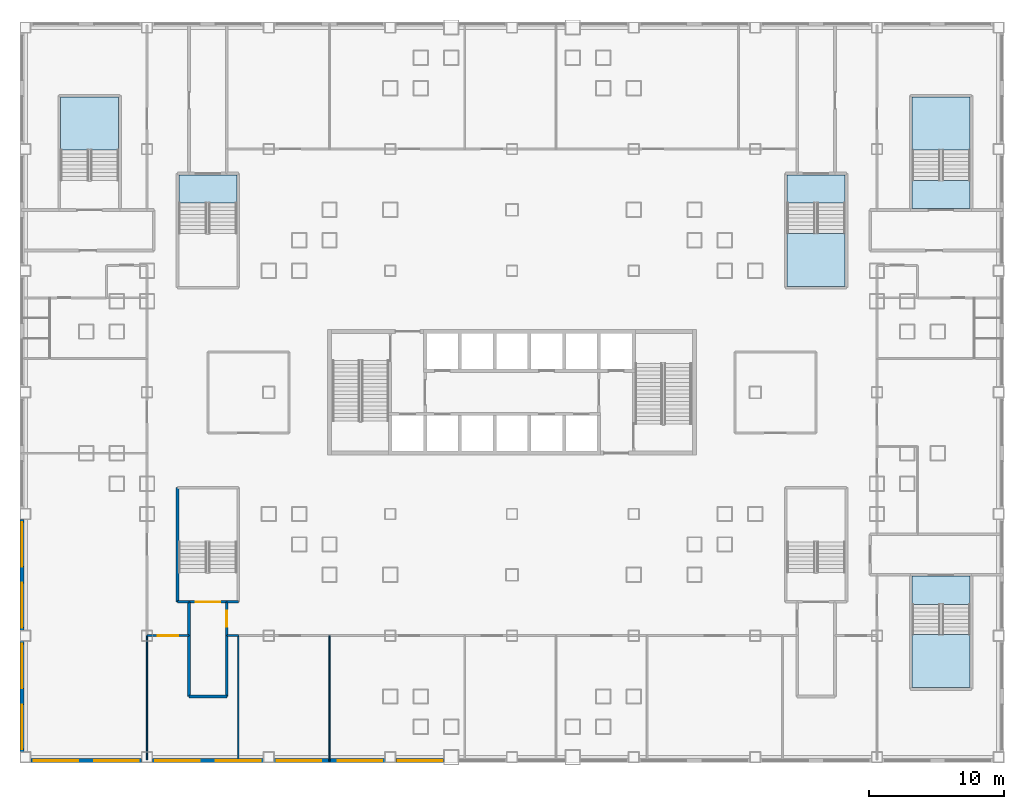
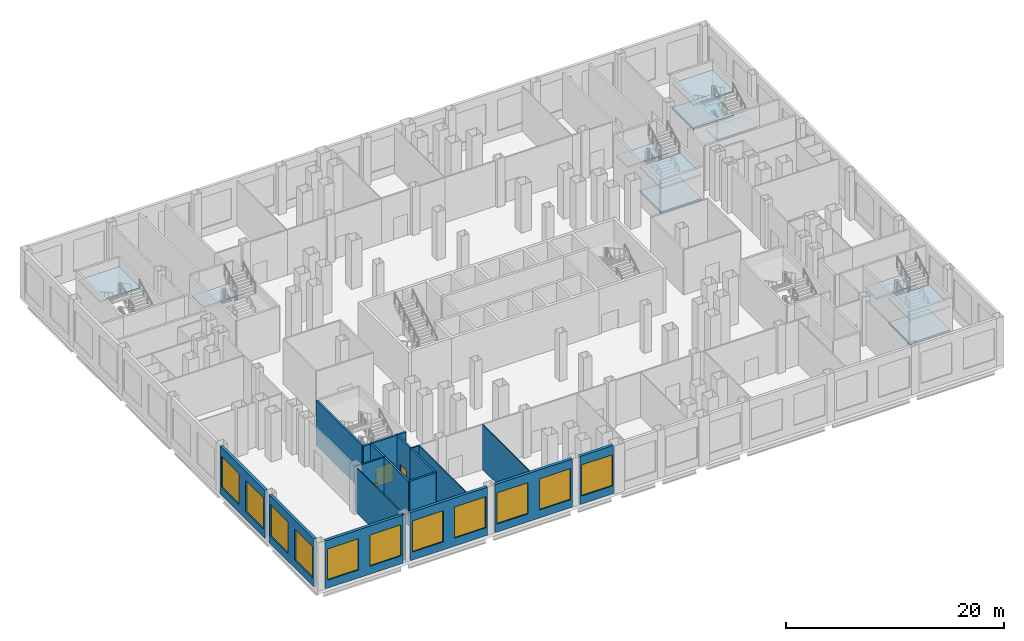
# One storey, part 2 of 27: 20 walls, 11 slabs, 11 windows, 3 doors, 14 openings, 5 elements without a shape of their own.
"""IFC4 building model written with IfcOpenShell, lengths in metres."""

from ifc_helpers import new_model, si_unit, direction, frame, frame_2d, origin, place, context, subcontext, project, spatial, polyline, rectangle, outline, extrude, material, layer, layer_set, type_object, element, fill, aggregate, save


model = new_model("IFC4")

# Units and contexts
model_context = context("Model", 3, precision=1e-05, world=origin(), true_north=direction((0.0, 1.0)))
body_context = subcontext(model_context, "Body", "Model", "MODEL_VIEW")
ifc_project = project(units=[si_unit("LENGTHUNIT", "METRE"), si_unit("AREAUNIT", "SQUARE_METRE"), si_unit("VOLUMEUNIT", "CUBIC_METRE"), si_unit("PLANEANGLEUNIT", "RADIAN"), si_unit("MASSUNIT", "GRAM", prefix="KILO")], contexts=[model_context])

# Site, building, storey
site_placement = place(None, origin())
site = spatial("IfcSite", under=ifc_project, at=site_placement, CompositionType="ELEMENT")
building_placement = place(site_placement, origin())
building = spatial("IfcBuilding", under=site, at=building_placement, Name="Caravel Reach Hotel and Residences", CompositionType="ELEMENT")
storey_placement = place(building_placement, frame((0.0, 0.0, 6.60009765625)))
storey = spatial("IfcBuildingStorey", under=building, at=storey_placement, Name="L01", CompositionType="ELEMENT", Elevation=6.60009765625)

# Stair, slab
ifc_material_1 = material(Name="Concrete C40", Category="concrete")
stair_type = type_object("IfcStairType", Name="Core stair", PredefinedType="HALF_TURN_STAIR", material=ifc_material_1)
stair_1_placement = place(storey_placement, origin())
stair_1 = element("IfcStair", 1, at=stair_1_placement, inside=storey, type_object=stair_type, Name="L01 Exit stair P1", PredefinedType="HALF_TURN_STAIR")
ifc_material_2 = material(Name="Concrete C40", Category="concrete")
ifc_layer_1 = layer(ifc_material_2, 0.199951171875)
ifc_layer_set_1 = layer_set([ifc_layer_1], Name="Core stair landing")
slab_type = type_object("IfcSlabType", Name="Core stair landing", PredefinedType="LANDING", material=ifc_layer_set_1)
slab_1_placement = place(storey_placement, frame((0.0, 0.0, 2.5)))
slab_1 = element("IfcSlab", 2, at=slab_1_placement, type_object=slab_type, Name="ST-P1 landing 2", PredefinedType="LANDING", context=body_context, shape_type="SweptSolid", body=[
    extrude(outline(polyline([(6.85009765625, 43.10009765625), (6.85009765625, 41.010009765625), (11.14990234375, 41.010009765625), (11.14990234375, 43.10009765625), (6.85009765625, 43.10009765625)])), origin(), (0.0, 0.0, 1.0), 0.199951171875),
])
aggregate(stair_1, [slab_1])

# Stair, slabs
stair_2_placement = place(storey_placement, origin())
stair_2 = element("IfcStair", 3, at=stair_2_placement, inside=storey, type_object=stair_type, Name="L01 Exit stair P2", PredefinedType="HALF_TURN_STAIR")
slab_2_placement = place(storey_placement, frame((0.0, 0.0, 1.14990234375)))
slab_2 = element("IfcSlab", 4, at=slab_2_placement, type_object=slab_type, Name="ST-P2 landing 1", PredefinedType="LANDING", context=body_context, shape_type="SweptSolid", body=[
    extrude(outline(polyline([(51.85009765625, 38.77001953125), (51.85009765625, 34.85009765625), (56.14990234375, 34.85009765625), (56.14990234375, 38.77001953125), (51.85009765625, 38.77001953125)])), origin(), (0.0, 0.0, 1.0), 0.199951171875),
])
slab_3_placement = place(storey_placement, frame((0.0, 0.0, 2.5)))
slab_3 = element("IfcSlab", 5, at=slab_3_placement, type_object=slab_type, Name="ST-P2 landing 2", PredefinedType="LANDING", context=body_context, shape_type="SweptSolid", body=[
    extrude(outline(polyline([(51.85009765625, 43.10009765625), (51.85009765625, 41.010009765625), (56.14990234375, 41.010009765625), (56.14990234375, 43.10009765625), (51.85009765625, 43.10009765625)])), origin(), (0.0, 0.0, 1.0), 0.199951171875),
])
slab_4_placement = place(storey_placement, frame((0.0, 0.0, 3.849853515625)))
slab_4 = element("IfcSlab", 6, at=slab_4_placement, type_object=slab_type, Name="ST-P2 landing 3", PredefinedType="LANDING", context=body_context, shape_type="SweptSolid", body=[
    extrude(outline(polyline([(51.85009765625, 38.77001953125), (51.85009765625, 34.85009765625), (56.14990234375, 34.85009765625), (56.14990234375, 38.77001953125), (51.85009765625, 38.77001953125)])), origin(), (0.0, 0.0, 1.0), 0.199951171875),
])
aggregate(stair_2, [slab_2, slab_3, slab_4])

# Stair, slab
stair_3_placement = place(storey_placement, origin())
stair_3 = element("IfcStair", 7, at=stair_3_placement, inside=storey, type_object=stair_type, Name="L01 Exit stair P5", PredefinedType="HALF_TURN_STAIR")
slab_5_placement = place(storey_placement, frame((0.0, 0.0, 3.849853515625)))
slab_5 = element("IfcSlab", 8, at=slab_5_placement, type_object=slab_type, Name="ST-P5 landing 3", PredefinedType="LANDING", context=body_context, shape_type="SweptSolid", body=[
    extrude(outline(polyline([(2.39990234375, 44.929931640625), (2.39990234375, 48.85009765625), (-1.89990234375, 48.85009765625), (-1.89990234375, 44.929931640625), (2.39990234375, 44.929931640625)])), origin(), (0.0, 0.0, 1.0), 0.199951171875),
])
aggregate(stair_3, [slab_5])

# Stair, slabs
stair_4_placement = place(storey_placement, origin())
stair_4 = element("IfcStair", 9, at=stair_4_placement, inside=storey, type_object=stair_type, Name="L01 Exit stair P6", PredefinedType="HALF_TURN_STAIR")
slab_6_placement = place(storey_placement, frame((0.0, 0.0, 1.14990234375)))
slab_6 = element("IfcSlab", 10, at=slab_6_placement, type_object=slab_type, Name="ST-P6 landing 1", PredefinedType="LANDING", context=body_context, shape_type="SweptSolid", body=[
    extrude(outline(polyline([(65.39990234375, 44.929931640625), (65.39990234375, 48.85009765625), (61.10009765625, 48.85009765625), (61.10009765625, 44.929931640625), (65.39990234375, 44.929931640625)])), origin(), (0.0, 0.0, 1.0), 0.199951171875),
])
slab_7_placement = place(storey_placement, frame((0.0, 0.0, 2.5)))
slab_7 = element("IfcSlab", 11, at=slab_7_placement, type_object=slab_type, Name="ST-P6 landing 2", PredefinedType="LANDING", context=body_context, shape_type="SweptSolid", body=[
    extrude(outline(polyline([(65.39990234375, 40.60009765625), (65.39990234375, 42.68994140625), (61.10009765625, 42.68994140625), (61.10009765625, 40.60009765625), (65.39990234375, 40.60009765625)])), origin(), (0.0, 0.0, 1.0), 0.199951171875),
])
slab_8_placement = place(storey_placement, frame((0.0, 0.0, 3.849853515625)))
slab_8 = element("IfcSlab", 12, at=slab_8_placement, type_object=slab_type, Name="ST-P6 landing 3", PredefinedType="LANDING", context=body_context, shape_type="SweptSolid", body=[
    extrude(outline(polyline([(65.39990234375, 44.929931640625), (65.39990234375, 48.85009765625), (61.10009765625, 48.85009765625), (61.10009765625, 44.929931640625), (65.39990234375, 44.929931640625)])), origin(), (0.0, 0.0, 1.0), 0.199951171875),
])
aggregate(stair_4, [slab_6, slab_7, slab_8])

stair_5_placement = place(storey_placement, origin())
stair_5 = element("IfcStair", 13, at=stair_5_placement, inside=storey, type_object=stair_type, Name="L01 Exit stair P7", PredefinedType="HALF_TURN_STAIR")
slab_9_placement = place(storey_placement, frame((0.0, 0.0, 1.14990234375)))
slab_9 = element("IfcSlab", 14, at=slab_9_placement, type_object=slab_type, Name="ST-P7 landing 1", PredefinedType="LANDING", context=body_context, shape_type="SweptSolid", body=[
    extrude(outline(polyline([(61.10009765625, 9.070068359375), (61.10009765625, 5.14990234375), (65.39990234375, 5.14990234375), (65.39990234375, 9.070068359375), (61.10009765625, 9.070068359375)])), origin(), (0.0, 0.0, 1.0), 0.199951171875),
])
slab_10_placement = place(storey_placement, frame((0.0, 0.0, 2.5)))
slab_10 = element("IfcSlab", 15, at=slab_10_placement, type_object=slab_type, Name="ST-P7 landing 2", PredefinedType="LANDING", context=body_context, shape_type="SweptSolid", body=[
    extrude(outline(polyline([(61.10009765625, 13.39990234375), (61.10009765625, 11.31005859375), (65.39990234375, 11.31005859375), (65.39990234375, 13.39990234375), (61.10009765625, 13.39990234375)])), origin(), (0.0, 0.0, 1.0), 0.199951171875),
])
slab_11_placement = place(storey_placement, frame((0.0, 0.0, 3.849853515625)))
slab_11 = element("IfcSlab", 16, at=slab_11_placement, type_object=slab_type, Name="ST-P7 landing 3", PredefinedType="LANDING", context=body_context, shape_type="SweptSolid", body=[
    extrude(outline(polyline([(61.10009765625, 9.070068359375), (61.10009765625, 5.14990234375), (65.39990234375, 5.14990234375), (65.39990234375, 9.070068359375), (61.10009765625, 9.070068359375)])), origin(), (0.0, 0.0, 1.0), 0.199951171875),
])
aggregate(stair_5, [slab_9, slab_10, slab_11])

# Wall
ifc_material_3 = material(Name="Autoclaved aerated block wall")
ifc_layer_2 = layer(ifc_material_3, 0.199951171875)
ifc_layer_set_2 = layer_set([ifc_layer_2], Name="Compartment wall 200 mm EI 120")
wall_type_1 = type_object("IfcWallType", Name="Compartment wall 200 mm EI 120", PredefinedType="PARTITIONING", material=ifc_layer_set_2)
wall_1_placement = place(storey_placement, frame((7.60009765625, 4.5, 0.0), z_axis=(0.0, 0.0, 1.0), x_axis=(1.0, 0.0, 0.0)))
element("IfcWall", 17, at=wall_1_placement, inside=storey, type_object=wall_type_1, Name="L01 wall w067", PredefinedType="PARTITIONING", context=body_context, shape_type="SweptSolid", body=[
    extrude(rectangle(XDim=2.7998046875, YDim=0.199951171875, at=frame_2d((1.39990234375, 0.0))), origin(), (0.0, 0.0, 1.0), 5.0498046875),
])

# Wall, opening, door
wall_2_placement = place(storey_placement, frame((10.39990234375, 9.0, 0.0), z_axis=(0.0, 0.0, 1.0), x_axis=(0.0, 1.0, 0.0)))
wall_2 = element("IfcWall", 18, at=wall_2_placement, inside=storey, type_object=wall_type_1, Name="L01 wall w077", PredefinedType="PARTITIONING", context=body_context, shape_type="SweptSolid", body=[
    extrude(rectangle(XDim=2.5, YDim=0.199951171875, at=frame_2d((1.25, 0.0))), origin(), (0.0, 0.0, 1.0), 5.0498046875),
])
opening_1_placement = place(wall_2_placement, frame((0.64990234375, 0.0, 0.0)))
opening_1 = element("IfcOpeningElement", 19, at=opening_1_placement, cuts=wall_2, Name="Opening D01-018", PredefinedType="OPENING", context=body_context, shape_type="SweptSolid", body=[
    extrude(rectangle(XDim=1.199951171875, YDim=2.10009765625, at=frame_2d((0.60009765625, 1.050048828125))), frame((0.0, 0.10986328125, 0.0), z_axis=(0.0, -1.0, 0.0), x_axis=(1.0, 0.0, 0.0)), (0.0, 0.0, 1.0), 0.219970703125),
])
ifc_material_4 = material(Name="Steel fire door leaf", Category="steel")
door_type_1 = type_object("IfcDoorType", Name="Fire lobby door 1200 x 2100 EI 90", OperationType="SINGLE_SWING_LEFT", PredefinedType="DOOR", material=ifc_material_4)
door_1_placement = place(opening_1_placement, origin())
door_1 = element("IfcDoor", 20, at=door_1_placement, inside=storey, type_object=door_type_1, Name="door D01-018", OperationType="SINGLE_SWING_LEFT", OverallHeight=2.10009765625, OverallWidth=1.199951171875, PredefinedType="DOOR", context=body_context, shape_type="SweptSolid", body=[
    extrude(rectangle(XDim=1.199951171875, YDim=2.10009765625, at=frame_2d((0.60009765625, 1.050048828125))), frame((0.0, 0.02490234375, 0.0), z_axis=(0.0, -1.0, 0.0), x_axis=(1.0, 0.0, 0.0)), (0.0, 0.0, 1.0), 0.050048828125),
])
fill(opening_1, door_1)

# Walls
wall_3_placement = place(storey_placement, frame((10.39990234375, 4.5, 0.0), z_axis=(0.0, 0.0, 1.0), x_axis=(0.0, 1.0, 0.0)))
element("IfcWall", 21, at=wall_3_placement, inside=storey, type_object=wall_type_1, Name="L01 wall w078", PredefinedType="PARTITIONING", context=body_context, shape_type="SweptSolid", body=[
    extrude(rectangle(XDim=4.5, YDim=0.199951171875, at=frame_2d((2.25, 0.0))), origin(), (0.0, 0.0, 1.0), 5.0498046875),
])
wall_4_placement = place(storey_placement, frame((7.60009765625, 9.0, 0.0), z_axis=(0.0, 0.0, 1.0), x_axis=(0.0, 1.0, 0.0)))
element("IfcWall", 22, at=wall_4_placement, inside=storey, type_object=wall_type_1, Name="L01 wall w090", PredefinedType="PARTITIONING", context=body_context, shape_type="SweptSolid", body=[
    extrude(rectangle(XDim=2.5, YDim=0.199951171875, at=frame_2d((1.25, 0.0))), origin(), (0.0, 0.0, 1.0), 5.0498046875),
])
wall_5_placement = place(storey_placement, frame((7.60009765625, 4.5, 0.0), z_axis=(0.0, 0.0, 1.0), x_axis=(0.0, 1.0, 0.0)))
element("IfcWall", 23, at=wall_5_placement, inside=storey, type_object=wall_type_1, Name="L01 wall w091", PredefinedType="PARTITIONING", context=body_context, shape_type="SweptSolid", body=[
    extrude(rectangle(XDim=4.5, YDim=0.199951171875, at=frame_2d((2.25, 0.0))), origin(), (0.0, 0.0, 1.0), 5.0498046875),
])

# Wall, opening, door
ifc_material_5 = material(Name="Gypsum board on steel stud, fire-rated", Category="steel")
ifc_layer_3 = layer(ifc_material_5, 0.14990234375)
ifc_layer_set_3 = layer_set([ifc_layer_3], Name="Corridor wall 150 mm EI 60")
wall_type_2 = type_object("IfcWallType", Name="Corridor wall 150 mm EI 60", PredefinedType="PARTITIONING", material=ifc_layer_set_3)
wall_6_placement = place(storey_placement, frame((4.5, 9.0, 0.0), z_axis=(0.0, 0.0, 1.0), x_axis=(1.0, 0.0, 0.0)))
wall_6 = element("IfcWall", 24, at=wall_6_placement, inside=storey, type_object=wall_type_2, Name="L01 wall w014", PredefinedType="PARTITIONING", context=body_context, shape_type="SweptSolid", body=[
    extrude(rectangle(XDim=3.10009765625, YDim=0.14990234375, at=frame_2d((1.550048828125, 0.0))), origin(), (0.0, 0.0, 1.0), 5.0498046875),
])
opening_2_placement = place(wall_6_placement, frame((0.800048828125, 0.0, 0.0)))
opening_2 = element("IfcOpeningElement", 25, at=opening_2_placement, cuts=wall_6, Name="Opening D01-039", PredefinedType="OPENING", context=body_context, shape_type="SweptSolid", body=[
    extrude(rectangle(XDim=1.5, YDim=2.39990234375, at=frame_2d((0.75, 1.199951171875))), frame((0.0, 0.0849609375, 0.0), z_axis=(0.0, -1.0, 0.0), x_axis=(1.0, 0.0, 0.0)), (0.0, 0.0, 1.0), 0.169921875),
])
ifc_material_6 = material(Name="Timber and steel door leaf", Category="steel")
door_type_2 = type_object("IfcDoorType", Name="Shopfront door 1500 x 2400", OperationType="DOUBLE_DOOR_SINGLE_SWING", PredefinedType="DOOR", material=ifc_material_6)
door_2_placement = place(opening_2_placement, origin())
door_2 = element("IfcDoor", 26, at=door_2_placement, inside=storey, type_object=door_type_2, Name="door D01-039", OperationType="DOUBLE_DOOR_SINGLE_SWING", OverallHeight=2.39990234375, OverallWidth=1.5, PredefinedType="DOOR", context=body_context, shape_type="SweptSolid", body=[
    extrude(rectangle(XDim=1.5, YDim=2.39990234375, at=frame_2d((0.75, 1.199951171875))), frame((0.0, 0.02490234375, 0.0), z_axis=(0.0, -1.0, 0.0), x_axis=(1.0, 0.0, 0.0)), (0.0, 0.0, 1.0), 0.050048828125),
])
fill(opening_2, door_2)

# Wall
wall_7_placement = place(storey_placement, frame((10.39990234375, 9.0, 0.0), z_axis=(0.0, 0.0, 1.0), x_axis=(1.0, 0.0, 0.0)))
element("IfcWall", 27, at=wall_7_placement, inside=storey, type_object=wall_type_2, Name="L01 wall w015", PredefinedType="PARTITIONING", context=body_context, shape_type="SweptSolid", body=[
    extrude(rectangle(XDim=0.85009765625, YDim=0.14990234375, at=frame_2d((0.425048828125, 0.0))), origin(), (0.0, 0.0, 1.0), 5.0498046875),
])

# Wall, openings, windows
ifc_material_7 = material(Name="Insulated wall, stone cladding", Category="masonry")
ifc_layer_4 = layer(ifc_material_7, 0.300048828125)
ifc_layer_set_4 = layer_set([ifc_layer_4], Name="EW2 Podium stone-clad wall")
wall_type_3 = type_object("IfcWallType", Name="EW2 Podium stone-clad wall", PredefinedType="SOLIDWALL", material=ifc_layer_set_4)
wall_8_placement = place(storey_placement, frame((-4.75, 17.60009765625, 0.0), z_axis=(0.0, 0.0, 1.0), x_axis=(0.0, -1.0, 0.0)))
wall_8 = element("IfcWall", 28, at=wall_8_placement, inside=storey, type_object=wall_type_3, Name="External wall L01 W3.5", PredefinedType="SOLIDWALL", context=body_context, shape_type="SweptSolid", body=[
    extrude(rectangle(XDim=8.2001953125, YDim=0.300048828125, at=frame_2d((4.10009765625, 0.0))), origin(), (0.0, 0.0, 1.0), 5.39990234375),
])
opening_3_placement = place(wall_8_placement, frame((0.199951171875, 0.0, 0.89990234375)))
opening_3 = element("IfcOpeningElement", 29, at=opening_3_placement, cuts=wall_8, Name="Opening WN30", PredefinedType="OPENING", context=body_context, shape_type="SweptSolid", body=[
    extrude(rectangle(XDim=3.300048828125, YDim=3.5, at=frame_2d((1.64990234375, 1.75))), frame((0.0, 0.159912109375, 0.0), z_axis=(0.0, -1.0, 0.0), x_axis=(1.0, 0.0, 0.0)), (0.0, 0.0, 1.0), 0.320068359375),
])
opening_4_placement = place(wall_8_placement, frame((4.699951171875, 0.0, 0.89990234375)))
opening_4 = element("IfcOpeningElement", 30, at=opening_4_placement, cuts=wall_8, Name="Opening WN30", PredefinedType="OPENING", context=body_context, shape_type="SweptSolid", body=[
    extrude(rectangle(XDim=3.300048828125, YDim=3.5, at=frame_2d((1.64990234375, 1.75))), frame((0.0, 0.159912109375, 0.0), z_axis=(0.0, -1.0, 0.0), x_axis=(1.0, 0.0, 0.0)), (0.0, 0.0, 1.0), 0.320068359375),
])
ifc_material_8 = material(Name="Dark low-e glazing in black aluminium frame", Category="aluminium")
window_type = type_object("IfcWindowType", Name="Podium window 3300 x 3500", PartitioningType="SINGLE_PANEL", PredefinedType="WINDOW", material=ifc_material_8)
window_1_placement = place(opening_3_placement, origin())
window_1 = element("IfcWindow", 31, at=window_1_placement, inside=storey, type_object=window_type, Name="Window L01 W3.5.1", OverallHeight=3.5, OverallWidth=3.300048828125, PartitioningType="SINGLE_PANEL", PredefinedType="WINDOW", context=body_context, shape_type="SweptSolid", body=[
    extrude(rectangle(XDim=3.300048828125, YDim=3.5, at=frame_2d((1.64990234375, 1.75))), frame((0.0, 0.030029296875, 0.0), z_axis=(0.0, -1.0, 0.0), x_axis=(1.0, 0.0, 0.0)), (0.0, 0.0, 1.0), 0.06005859375),
])
fill(opening_3, window_1)
window_2_placement = place(opening_4_placement, origin())
window_2 = element("IfcWindow", 32, at=window_2_placement, inside=storey, type_object=window_type, Name="Window L01 W3.5.2", OverallHeight=3.5, OverallWidth=3.300048828125, PartitioningType="SINGLE_PANEL", PredefinedType="WINDOW", context=body_context, shape_type="SweptSolid", body=[
    extrude(rectangle(XDim=3.300048828125, YDim=3.5, at=frame_2d((1.64990234375, 1.75))), frame((0.0, 0.030029296875, 0.0), z_axis=(0.0, -1.0, 0.0), x_axis=(1.0, 0.0, 0.0)), (0.0, 0.0, 1.0), 0.06005859375),
])
fill(opening_4, window_2)

wall_9_placement = place(storey_placement, frame((-4.75, 8.60009765625, 0.0), z_axis=(0.0, 0.0, 1.0), x_axis=(0.0, -1.0, 0.0)))
wall_9 = element("IfcWall", 33, at=wall_9_placement, inside=storey, type_object=wall_type_3, Name="External wall L01 W3.6", PredefinedType="SOLIDWALL", context=body_context, shape_type="SweptSolid", body=[
    extrude(rectangle(XDim=8.2001953125, YDim=0.300048828125, at=frame_2d((4.10009765625, 0.0))), origin(), (0.0, 0.0, 1.0), 5.39990234375),
])
opening_5_placement = place(wall_9_placement, frame((0.199951171875, 0.0, 0.89990234375)))
opening_5 = element("IfcOpeningElement", 34, at=opening_5_placement, cuts=wall_9, Name="Opening WN30", PredefinedType="OPENING", context=body_context, shape_type="SweptSolid", body=[
    extrude(rectangle(XDim=3.300048828125, YDim=3.5, at=frame_2d((1.64990234375, 1.75))), frame((0.0, 0.159912109375, 0.0), z_axis=(0.0, -1.0, 0.0), x_axis=(1.0, 0.0, 0.0)), (0.0, 0.0, 1.0), 0.320068359375),
])
opening_6_placement = place(wall_9_placement, frame((4.699951171875, 0.0, 0.89990234375)))
opening_6 = element("IfcOpeningElement", 35, at=opening_6_placement, cuts=wall_9, Name="Opening WN30", PredefinedType="OPENING", context=body_context, shape_type="SweptSolid", body=[
    extrude(rectangle(XDim=3.300048828125, YDim=3.5, at=frame_2d((1.64990234375, 1.75))), frame((0.0, 0.159912109375, 0.0), z_axis=(0.0, -1.0, 0.0), x_axis=(1.0, 0.0, 0.0)), (0.0, 0.0, 1.0), 0.320068359375),
])
window_3_placement = place(opening_5_placement, origin())
window_3 = element("IfcWindow", 36, at=window_3_placement, inside=storey, type_object=window_type, Name="Window L01 W3.6.1", OverallHeight=3.5, OverallWidth=3.300048828125, PartitioningType="SINGLE_PANEL", PredefinedType="WINDOW", context=body_context, shape_type="SweptSolid", body=[
    extrude(rectangle(XDim=3.300048828125, YDim=3.5, at=frame_2d((1.64990234375, 1.75))), frame((0.0, 0.030029296875, 0.0), z_axis=(0.0, -1.0, 0.0), x_axis=(1.0, 0.0, 0.0)), (0.0, 0.0, 1.0), 0.06005859375),
])
fill(opening_5, window_3)
window_4_placement = place(opening_6_placement, origin())
window_4 = element("IfcWindow", 37, at=window_4_placement, inside=storey, type_object=window_type, Name="Window L01 W3.6.2", OverallHeight=3.5, OverallWidth=3.300048828125, PartitioningType="SINGLE_PANEL", PredefinedType="WINDOW", context=body_context, shape_type="SweptSolid", body=[
    extrude(rectangle(XDim=3.300048828125, YDim=3.5, at=frame_2d((1.64990234375, 1.75))), frame((0.0, 0.030029296875, 0.0), z_axis=(0.0, -1.0, 0.0), x_axis=(1.0, 0.0, 0.0)), (0.0, 0.0, 1.0), 0.06005859375),
])
fill(opening_6, window_4)

wall_10_placement = place(storey_placement, frame((-4.10009765625, -0.25, 0.0), z_axis=(0.0, 0.0, 1.0), x_axis=(1.0, 0.0, 0.0)))
wall_10 = element("IfcWall", 38, at=wall_10_placement, inside=storey, type_object=wall_type_3, Name="External wall L01 S4.1", PredefinedType="SOLIDWALL", context=body_context, shape_type="SweptSolid", body=[
    extrude(rectangle(XDim=8.2001953125, YDim=0.300048828125, at=frame_2d((4.10009765625, 0.0))), origin(), (0.0, 0.0, 1.0), 5.39990234375),
])
opening_7_placement = place(wall_10_placement, frame((0.199951171875, 0.0, 0.89990234375)))
opening_7 = element("IfcOpeningElement", 39, at=opening_7_placement, cuts=wall_10, Name="Opening WN30", PredefinedType="OPENING", context=body_context, shape_type="SweptSolid", body=[
    extrude(rectangle(XDim=3.300048828125, YDim=3.5, at=frame_2d((1.64990234375, 1.75))), frame((0.0, 0.159912109375, 0.0), z_axis=(0.0, -1.0, 0.0), x_axis=(1.0, 0.0, 0.0)), (0.0, 0.0, 1.0), 0.320068359375),
])
opening_8_placement = place(wall_10_placement, frame((4.699951171875, 0.0, 0.89990234375)))
opening_8 = element("IfcOpeningElement", 40, at=opening_8_placement, cuts=wall_10, Name="Opening WN30", PredefinedType="OPENING", context=body_context, shape_type="SweptSolid", body=[
    extrude(rectangle(XDim=3.300048828125, YDim=3.5, at=frame_2d((1.64990234375, 1.75))), frame((0.0, 0.159912109375, 0.0), z_axis=(0.0, -1.0, 0.0), x_axis=(1.0, 0.0, 0.0)), (0.0, 0.0, 1.0), 0.320068359375),
])
window_5_placement = place(opening_7_placement, origin())
window_5 = element("IfcWindow", 41, at=window_5_placement, inside=storey, type_object=window_type, Name="Window L01 S4.1.1", OverallHeight=3.5, OverallWidth=3.300048828125, PartitioningType="SINGLE_PANEL", PredefinedType="WINDOW", context=body_context, shape_type="SweptSolid", body=[
    extrude(rectangle(XDim=3.300048828125, YDim=3.5, at=frame_2d((1.64990234375, 1.75))), frame((0.0, 0.030029296875, 0.0), z_axis=(0.0, -1.0, 0.0), x_axis=(1.0, 0.0, 0.0)), (0.0, 0.0, 1.0), 0.06005859375),
])
fill(opening_7, window_5)
window_6_placement = place(opening_8_placement, origin())
window_6 = element("IfcWindow", 42, at=window_6_placement, inside=storey, type_object=window_type, Name="Window L01 S4.1.2", OverallHeight=3.5, OverallWidth=3.300048828125, PartitioningType="SINGLE_PANEL", PredefinedType="WINDOW", context=body_context, shape_type="SweptSolid", body=[
    extrude(rectangle(XDim=3.300048828125, YDim=3.5, at=frame_2d((1.64990234375, 1.75))), frame((0.0, 0.030029296875, 0.0), z_axis=(0.0, -1.0, 0.0), x_axis=(1.0, 0.0, 0.0)), (0.0, 0.0, 1.0), 0.06005859375),
])
fill(opening_8, window_6)

wall_11_placement = place(storey_placement, frame((4.89990234375, -0.25, 0.0), z_axis=(0.0, 0.0, 1.0), x_axis=(1.0, 0.0, 0.0)))
wall_11 = element("IfcWall", 43, at=wall_11_placement, inside=storey, type_object=wall_type_3, Name="External wall L01 S4.2", PredefinedType="SOLIDWALL", context=body_context, shape_type="SweptSolid", body=[
    extrude(rectangle(XDim=8.2001953125, YDim=0.300048828125, at=frame_2d((4.10009765625, 0.0))), origin(), (0.0, 0.0, 1.0), 5.39990234375),
])
opening_9_placement = place(wall_11_placement, frame((0.199951171875, 0.0, 0.89990234375)))
opening_9 = element("IfcOpeningElement", 44, at=opening_9_placement, cuts=wall_11, Name="Opening WN30", PredefinedType="OPENING", context=body_context, shape_type="SweptSolid", body=[
    extrude(rectangle(XDim=3.300048828125, YDim=3.5, at=frame_2d((1.64990234375, 1.75))), frame((0.0, 0.159912109375, 0.0), z_axis=(0.0, -1.0, 0.0), x_axis=(1.0, 0.0, 0.0)), (0.0, 0.0, 1.0), 0.320068359375),
])
opening_10_placement = place(wall_11_placement, frame((4.699951171875, 0.0, 0.89990234375)))
opening_10 = element("IfcOpeningElement", 45, at=opening_10_placement, cuts=wall_11, Name="Opening WN30", PredefinedType="OPENING", context=body_context, shape_type="SweptSolid", body=[
    extrude(rectangle(XDim=3.300048828125, YDim=3.5, at=frame_2d((1.64990234375, 1.75))), frame((0.0, 0.159912109375, 0.0), z_axis=(0.0, -1.0, 0.0), x_axis=(1.0, 0.0, 0.0)), (0.0, 0.0, 1.0), 0.320068359375),
])
window_7_placement = place(opening_9_placement, origin())
window_7 = element("IfcWindow", 46, at=window_7_placement, inside=storey, type_object=window_type, Name="Window L01 S4.2.1", OverallHeight=3.5, OverallWidth=3.300048828125, PartitioningType="SINGLE_PANEL", PredefinedType="WINDOW", context=body_context, shape_type="SweptSolid", body=[
    extrude(rectangle(XDim=3.300048828125, YDim=3.5, at=frame_2d((1.64990234375, 1.75))), frame((0.0, 0.030029296875, 0.0), z_axis=(0.0, -1.0, 0.0), x_axis=(1.0, 0.0, 0.0)), (0.0, 0.0, 1.0), 0.06005859375),
])
fill(opening_9, window_7)
window_8_placement = place(opening_10_placement, origin())
window_8 = element("IfcWindow", 47, at=window_8_placement, inside=storey, type_object=window_type, Name="Window L01 S4.2.2", OverallHeight=3.5, OverallWidth=3.300048828125, PartitioningType="SINGLE_PANEL", PredefinedType="WINDOW", context=body_context, shape_type="SweptSolid", body=[
    extrude(rectangle(XDim=3.300048828125, YDim=3.5, at=frame_2d((1.64990234375, 1.75))), frame((0.0, 0.030029296875, 0.0), z_axis=(0.0, -1.0, 0.0), x_axis=(1.0, 0.0, 0.0)), (0.0, 0.0, 1.0), 0.06005859375),
])
fill(opening_10, window_8)

wall_12_placement = place(storey_placement, frame((13.89990234375, -0.25, 0.0), z_axis=(0.0, 0.0, 1.0), x_axis=(1.0, 0.0, 0.0)))
wall_12 = element("IfcWall", 48, at=wall_12_placement, inside=storey, type_object=wall_type_3, Name="External wall L01 S4.3", PredefinedType="SOLIDWALL", context=body_context, shape_type="SweptSolid", body=[
    extrude(rectangle(XDim=8.2001953125, YDim=0.300048828125, at=frame_2d((4.10009765625, 0.0))), origin(), (0.0, 0.0, 1.0), 5.39990234375),
])
opening_11_placement = place(wall_12_placement, frame((0.199951171875, 0.0, 0.89990234375)))
opening_11 = element("IfcOpeningElement", 49, at=opening_11_placement, cuts=wall_12, Name="Opening WN30", PredefinedType="OPENING", context=body_context, shape_type="SweptSolid", body=[
    extrude(rectangle(XDim=3.300048828125, YDim=3.5, at=frame_2d((1.64990234375, 1.75))), frame((0.0, 0.159912109375, 0.0), z_axis=(0.0, -1.0, 0.0), x_axis=(1.0, 0.0, 0.0)), (0.0, 0.0, 1.0), 0.320068359375),
])
opening_12_placement = place(wall_12_placement, frame((4.699951171875, 0.0, 0.89990234375)))
opening_12 = element("IfcOpeningElement", 50, at=opening_12_placement, cuts=wall_12, Name="Opening WN30", PredefinedType="OPENING", context=body_context, shape_type="SweptSolid", body=[
    extrude(rectangle(XDim=3.300048828125, YDim=3.5, at=frame_2d((1.64990234375, 1.75))), frame((0.0, 0.159912109375, 0.0), z_axis=(0.0, -1.0, 0.0), x_axis=(1.0, 0.0, 0.0)), (0.0, 0.0, 1.0), 0.320068359375),
])
window_9_placement = place(opening_11_placement, origin())
window_9 = element("IfcWindow", 51, at=window_9_placement, inside=storey, type_object=window_type, Name="Window L01 S4.3.1", OverallHeight=3.5, OverallWidth=3.300048828125, PartitioningType="SINGLE_PANEL", PredefinedType="WINDOW", context=body_context, shape_type="SweptSolid", body=[
    extrude(rectangle(XDim=3.300048828125, YDim=3.5, at=frame_2d((1.64990234375, 1.75))), frame((0.0, 0.030029296875, 0.0), z_axis=(0.0, -1.0, 0.0), x_axis=(1.0, 0.0, 0.0)), (0.0, 0.0, 1.0), 0.06005859375),
])
fill(opening_11, window_9)
window_10_placement = place(opening_12_placement, origin())
window_10 = element("IfcWindow", 52, at=window_10_placement, inside=storey, type_object=window_type, Name="Window L01 S4.3.2", OverallHeight=3.5, OverallWidth=3.300048828125, PartitioningType="SINGLE_PANEL", PredefinedType="WINDOW", context=body_context, shape_type="SweptSolid", body=[
    extrude(rectangle(XDim=3.300048828125, YDim=3.5, at=frame_2d((1.64990234375, 1.75))), frame((0.0, 0.030029296875, 0.0), z_axis=(0.0, -1.0, 0.0), x_axis=(1.0, 0.0, 0.0)), (0.0, 0.0, 1.0), 0.06005859375),
])
fill(opening_12, window_10)

# Wall, opening, window
wall_13_placement = place(storey_placement, frame((22.89990234375, -0.25, 0.0), z_axis=(0.0, 0.0, 1.0), x_axis=(1.0, 0.0, 0.0)))
wall_13 = element("IfcWall", 53, at=wall_13_placement, inside=storey, type_object=wall_type_3, Name="External wall L01 S4.4", PredefinedType="SOLIDWALL", context=body_context, shape_type="SweptSolid", body=[
    extrude(rectangle(XDim=3.550048828125, YDim=0.300048828125, at=frame_2d((1.77490234375, 0.0))), origin(), (0.0, 0.0, 1.0), 5.39990234375),
])
opening_13_placement = place(wall_13_placement, frame((0.14990234375, 0.0, 0.89990234375)))
opening_13 = element("IfcOpeningElement", 54, at=opening_13_placement, cuts=wall_13, Name="Opening WN30", PredefinedType="OPENING", context=body_context, shape_type="SweptSolid", body=[
    extrude(rectangle(XDim=3.300048828125, YDim=3.5, at=frame_2d((1.64990234375, 1.75))), frame((0.0, 0.159912109375, 0.0), z_axis=(0.0, -1.0, 0.0), x_axis=(1.0, 0.0, 0.0)), (0.0, 0.0, 1.0), 0.320068359375),
])
window_11_placement = place(opening_13_placement, origin())
window_11 = element("IfcWindow", 55, at=window_11_placement, inside=storey, type_object=window_type, Name="Window L01 S4.4.1", OverallHeight=3.5, OverallWidth=3.300048828125, PartitioningType="SINGLE_PANEL", PredefinedType="WINDOW", context=body_context, shape_type="SweptSolid", body=[
    extrude(rectangle(XDim=3.300048828125, YDim=3.5, at=frame_2d((1.64990234375, 1.75))), frame((0.0, 0.030029296875, 0.0), z_axis=(0.0, -1.0, 0.0), x_axis=(1.0, 0.0, 0.0)), (0.0, 0.0, 1.0), 0.06005859375),
])
fill(opening_13, window_11)

# Walls
ifc_material_9 = material(Name="Gypsum board on steel stud", Category="steel")
ifc_layer_5 = layer(ifc_material_9, 0.10009765625)
ifc_layer_set_5 = layer_set([ifc_layer_5], Name="Partition 100 mm")
wall_type_4 = type_object("IfcWallType", Name="Partition 100 mm", PredefinedType="PARTITIONING", material=ifc_layer_set_5)
wall_14_placement = place(storey_placement, frame((11.25, -0.1201171875, 0.0), z_axis=(0.0, 0.0, 1.0), x_axis=(0.0, 1.0, 0.0)))
element("IfcWall", 56, at=wall_14_placement, inside=storey, type_object=wall_type_4, Name="L01 wall w046", PredefinedType="PARTITIONING", context=body_context, shape_type="SweptSolid", body=[
    extrude(rectangle(XDim=9.1201171875, YDim=0.10009765625, at=frame_2d((4.56005859375, 0.0))), origin(), (0.0, 0.0, 1.0), 5.0498046875),
])
wall_15_placement = place(storey_placement, frame((18.0, -0.2900390625, 0.0), z_axis=(0.0, 0.0, 1.0), x_axis=(0.0, 1.0, 0.0)))
element("IfcWall", 57, at=wall_15_placement, inside=storey, type_object=wall_type_4, Name="L01 wall w047", PredefinedType="PARTITIONING", context=body_context, shape_type="SweptSolid", body=[
    extrude(rectangle(XDim=9.2900390625, YDim=0.10009765625, at=frame_2d((4.64501953125, 0.0))), origin(), (0.0, 0.0, 1.0), 5.0498046875),
])
wall_16_placement = place(storey_placement, frame((4.5, -0.18994140625, 0.0), z_axis=(0.0, 0.0, 1.0), x_axis=(0.0, 1.0, 0.0)))
element("IfcWall", 58, at=wall_16_placement, inside=storey, type_object=wall_type_4, Name="L01 wall w053", PredefinedType="PARTITIONING", context=body_context, shape_type="SweptSolid", body=[
    extrude(rectangle(XDim=9.18994140625, YDim=0.10009765625, at=frame_2d((4.594970703125, 0.0))), origin(), (0.0, 0.0, 1.0), 5.0498046875),
])
ifc_material_10 = material(Name="Concrete C60", Category="concrete")
ifc_layer_6 = layer(ifc_material_10, 0.199951171875)
ifc_layer_set_6 = layer_set([ifc_layer_6], Name="Stair enclosure wall 200 mm EI 120")
wall_type_5 = type_object("IfcWallType", Name="Stair enclosure wall 200 mm EI 120", PredefinedType="SHEAR", material=ifc_layer_set_6)
for number, where, z_axis, x_axis, name in (
    (59, (6.75, 11.5, 0.0), (0.0, 0.0, 1.0), (1.0, 0.0, 0.0), "L01 wall w092"),
    (60, (10.39990234375, 11.5, 0.0), (0.0, 0.0, 1.0), (1.0, 0.0, 0.0), "L01 wall w093"),
):
    element("IfcWall", number, at=place(storey_placement, frame(where, z_axis=z_axis, x_axis=x_axis)), inside=storey, type_object=wall_type_5, Name=name, PredefinedType="SHEAR", context=body_context, shape_type="SweptSolid", body=[
        extrude(rectangle(XDim=0.85009765625, YDim=0.199951171875, at=frame_2d((0.425048828125, 0.0))), origin(), (0.0, 0.0, 1.0), 5.0498046875),
    ])

# Wall, opening, door
wall_17_placement = place(storey_placement, frame((7.60009765625, 11.5, 0.0), z_axis=(0.0, 0.0, 1.0), x_axis=(1.0, 0.0, 0.0)))
wall_17 = element("IfcWall", 61, at=wall_17_placement, inside=storey, type_object=wall_type_5, Name="L01 wall w094", PredefinedType="SHEAR", context=body_context, shape_type="SweptSolid", body=[
    extrude(rectangle(XDim=2.7998046875, YDim=0.199951171875, at=frame_2d((1.39990234375, 0.0))), origin(), (0.0, 0.0, 1.0), 5.0498046875),
])
opening_14_placement = place(wall_17_placement, frame((0.5, 0.0, 0.0)))
opening_14 = element("IfcOpeningElement", 62, at=opening_14_placement, cuts=wall_17, Name="Opening D01-019", PredefinedType="OPENING", context=body_context, shape_type="SweptSolid", body=[
    extrude(rectangle(XDim=1.800048828125, YDim=2.10009765625, at=frame_2d((0.89990234375, 1.050048828125))), frame((0.0, 0.10986328125, 0.0), z_axis=(0.0, -1.0, 0.0), x_axis=(1.0, 0.0, 0.0)), (0.0, 0.0, 1.0), 0.219970703125),
])
ifc_material_11 = material(Name="Steel fire door leaf", Category="steel")
door_type_3 = type_object("IfcDoorType", Name="Stair door pair 1800 x 2100 EI 90", OperationType="DOUBLE_DOOR_SINGLE_SWING", PredefinedType="DOOR", material=ifc_material_11)
door_3_placement = place(opening_14_placement, origin())
door_3 = element("IfcDoor", 63, at=door_3_placement, inside=storey, type_object=door_type_3, Name="door D01-019", OperationType="DOUBLE_DOOR_SINGLE_SWING", OverallHeight=2.10009765625, OverallWidth=1.800048828125, PredefinedType="DOOR", context=body_context, shape_type="SweptSolid", body=[
    extrude(rectangle(XDim=1.800048828125, YDim=2.10009765625, at=frame_2d((0.89990234375, 1.050048828125))), frame((0.0, 0.02490234375, 0.0), z_axis=(0.0, -1.0, 0.0), x_axis=(1.0, 0.0, 0.0)), (0.0, 0.0, 1.0), 0.050048828125),
])
fill(opening_14, door_3)

# Wall
wall_18_placement = place(storey_placement, frame((6.75, 11.5, 0.0), z_axis=(0.0, 0.0, 1.0), x_axis=(0.0, 1.0, 0.0)))
element("IfcWall", 64, at=wall_18_placement, inside=storey, type_object=wall_type_5, Name="L01 wall w123", PredefinedType="SHEAR", context=body_context, shape_type="SweptSolid", body=[
    extrude(rectangle(XDim=8.449951171875, YDim=0.199951171875, at=frame_2d((4.22509765625, 0.0))), origin(), (0.0, 0.0, 1.0), 5.0498046875),
])

save(model, "model.ifc")
